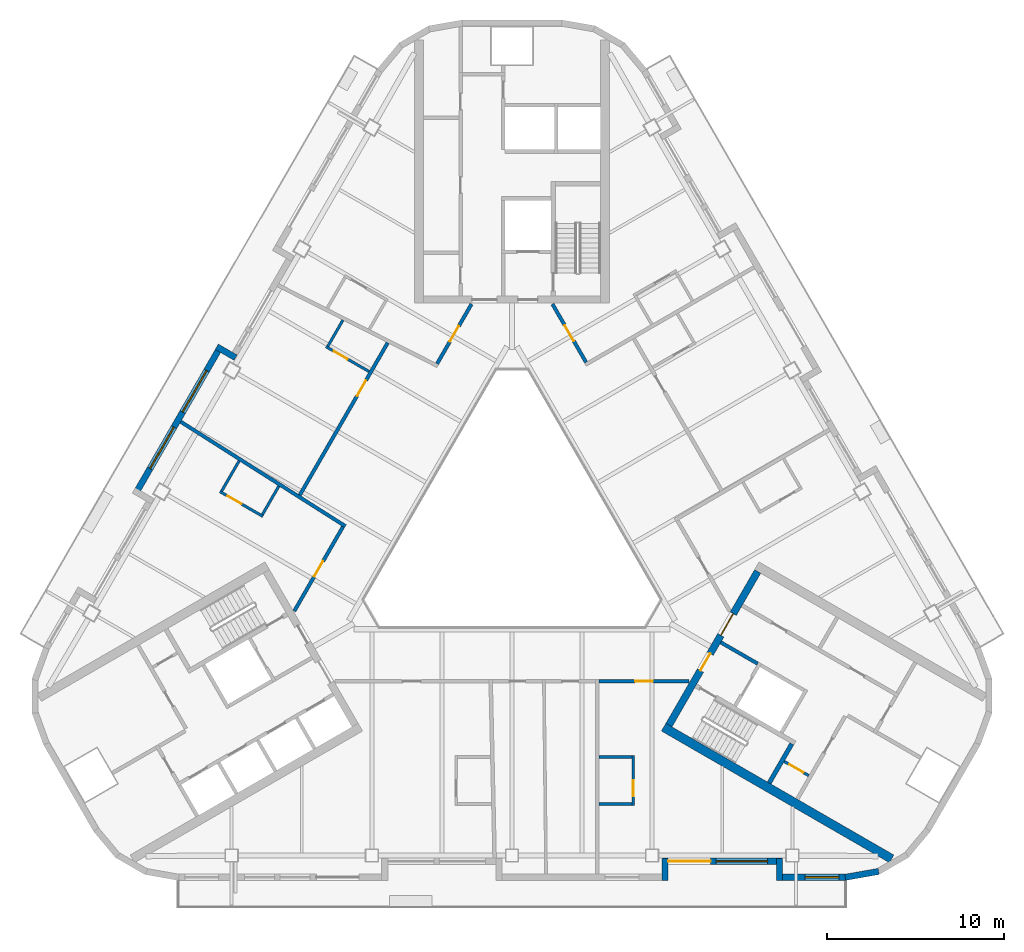
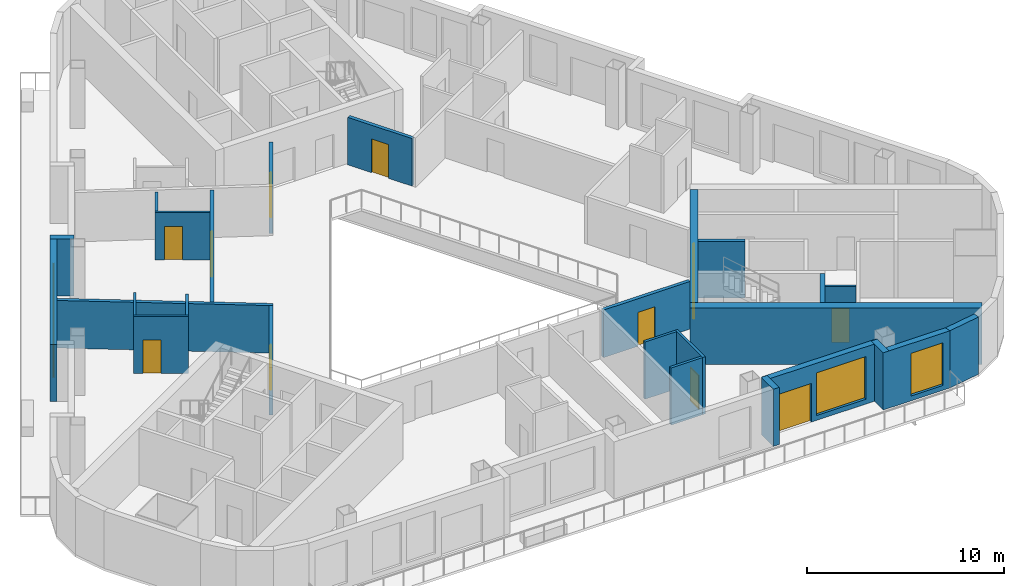
# One storey, part 4 of 13: 26 walls, 12 doors, 4 windows, 16 openings.
"""IFC4 building model written with IfcOpenShell, lengths in metres."""

from ifc_helpers import new_model, si_unit, direction, frame, frame_2d, origin, place, context, subcontext, project, spatial, rectangle, extrude, material, layer, layer_set, type_object, element, fill, save


model = new_model("IFC4")

# Units and contexts
model_context = context("Model", 3, precision=1e-05, world=origin(), true_north=direction((0.0, 1.0)))
body_context = subcontext(model_context, "Body", "Model", "MODEL_VIEW")
ifc_project = project(units=[si_unit("LENGTHUNIT", "METRE"), si_unit("AREAUNIT", "SQUARE_METRE"), si_unit("VOLUMEUNIT", "CUBIC_METRE"), si_unit("PLANEANGLEUNIT", "RADIAN"), si_unit("MASSUNIT", "GRAM", prefix="KILO")], contexts=[model_context])

# Site, building, storey
site_placement = place(None, origin())
site = spatial("IfcSite", under=ifc_project, at=site_placement, CompositionType="ELEMENT")
building_placement = place(site_placement, origin())
building = spatial("IfcBuilding", under=site, at=building_placement, Name="Apuvela Tower Hotel", CompositionType="ELEMENT")
storey_placement = place(building_placement, frame((0.0, 0.0, 194.699951171875)))
storey = spatial("IfcBuildingStorey", under=building, at=storey_placement, Name="L47", CompositionType="ELEMENT", Elevation=194.699951171875)

# Wall, openings, doors
ifc_material_1 = material(Name="Concrete C50/60", Category="concrete")
ifc_layer_1 = layer(ifc_material_1, 0.39990234375)
ifc_layer_set_1 = layer_set([ifc_layer_1], Name="COR-WALL-CORE-400")
wall_type_1 = type_object("IfcWallType", Name="COR-WALL-CORE-400", PredefinedType="SHEAR", material=ifc_layer_set_1)
wall_1_placement = place(storey_placement, frame((8.844970703125, -10.880126953125, 0.0), z_axis=(0.0, 0.0, 1.0), x_axis=(0.500004234368, 0.866022959057, 0.0)))
wall_1 = element("IfcWall", 1, at=wall_1_placement, inside=storey, type_object=wall_type_1, Name="Core wall SE", PredefinedType="SHEAR", context=body_context, shape_type="SweptSolid", body=[
    extrude(rectangle(XDim=10.0, YDim=0.39990234375, at=frame_2d((5.0, 0.0))), origin(), (0.0, 0.0, 1.0), 3.5),
])
opening_1_placement = place(wall_1_placement, frame((3.550048828125, 0.0, 0.0)))
opening_1 = element("IfcOpeningElement", 2, at=opening_1_placement, cuts=wall_1, Name="Opening E-FD", PredefinedType="OPENING", context=body_context, shape_type="SweptSolid", body=[
    extrude(rectangle(XDim=1.10009765625, YDim=2.10009765625, at=frame_2d((0.550048828125, 1.050048828125))), frame((0.0, 0.2099609375, 0.0), z_axis=(0.0, -1.0, 0.0), x_axis=(1.0, 0.0, 0.0)), (0.0, 0.0, 1.0), 0.419921875),
])
opening_2_placement = place(wall_1_placement, frame((5.85009765625, 0.0, 0.0)))
opening_2 = element("IfcOpeningElement", 3, at=opening_2_placement, cuts=wall_1, Name="Opening E-GD", PredefinedType="OPENING", context=body_context, shape_type="SweptSolid", body=[
    extrude(rectangle(XDim=1.39990234375, YDim=2.10009765625, at=frame_2d((0.699951171875, 1.050048828125))), frame((0.0, 0.2099609375, 0.0), z_axis=(0.0, -1.0, 0.0), x_axis=(1.0, 0.0, 0.0)), (0.0, 0.0, 1.0), 0.419921875),
])
ifc_material_2 = material(Name="Steel fire door, powder coated", Category="steel")
door_type_1 = type_object("IfcDoorType", Name="COR-FD-1100", OperationType="NOTDEFINED", PredefinedType="DOOR", material=ifc_material_2)
door_1_placement = place(opening_1_placement, frame((1.10009765625, 0.0, 0.0), z_axis=(0.0, 0.0, 1.0), x_axis=(-1.0, 0.0, 0.0)))
door_1 = element("IfcDoor", 4, at=door_1_placement, inside=storey, type_object=door_type_1, Name="Firefighting lobby door E-FD", OperationType="SINGLE_SWING_LEFT", OverallHeight=2.10009765625, OverallWidth=1.10009765625, PredefinedType="DOOR", context=body_context, shape_type="SweptSolid", body=[
    extrude(rectangle(XDim=1.10009765625, YDim=2.10009765625, at=frame_2d((0.550048828125, 1.050048828125))), frame((0.0, 0.02490234375, 0.0), z_axis=(0.0, -1.0, 0.0), x_axis=(1.0, 0.0, 0.0)), (0.0, 0.0, 1.0), 0.050048828125),
])
fill(opening_1, door_1)
ifc_material_3 = material(Name="Glazed steel fire door", Category="steel")
door_type_2 = type_object("IfcDoorType", Name="COR-GD-1400", OperationType="DOUBLE_DOOR_SINGLE_SWING", PredefinedType="DOOR", material=ifc_material_3)
door_2_placement = place(opening_2_placement, frame((1.39990234375, 0.0, 0.0), z_axis=(0.0, 0.0, 1.0), x_axis=(-1.0, 0.0, 0.0)))
door_2 = element("IfcDoor", 5, at=door_2_placement, inside=storey, type_object=door_type_2, Name="Lift lobby door E-GD", OperationType="DOUBLE_DOOR_SINGLE_SWING", OverallHeight=2.10009765625, OverallWidth=1.39990234375, PredefinedType="DOOR", context=body_context, shape_type="SweptSolid", body=[
    extrude(rectangle(XDim=1.39990234375, YDim=2.10009765625, at=frame_2d((0.699951171875, 1.050048828125))), frame((0.0, 0.02490234375, 0.0), z_axis=(0.0, -1.0, 0.0), x_axis=(1.0, 0.0, 0.0)), (0.0, 0.0, 1.0), 0.050048828125),
])
fill(opening_2, door_2)

# Wall
ifc_layer_2 = layer(ifc_material_1, 0.5)
ifc_layer_set_2 = layer_set([ifc_layer_2], Name="COR-WALL-CORE-500")
wall_type_2 = type_object("IfcWallType", Name="COR-WALL-CORE-500", PredefinedType="SHEAR", material=ifc_layer_set_2)
wall_2_placement = place(storey_placement, frame((8.546630859375, -10.99658203125, 0.0), z_axis=(0.0, 0.0, 1.0), x_axis=(0.866025009528, -0.500000682871, 0.0)))
element("IfcWall", 6, at=wall_2_placement, inside=storey, type_object=wall_type_2, Name="Core wall SE", PredefinedType="SHEAR", context=body_context, shape_type="SweptSolid", body=[
    extrude(rectangle(XDim=14.8369140625, YDim=0.5, at=frame_2d((7.41845703125, 0.0))), origin(), (0.0, 0.0, 1.0), 3.5),
])

# Wall, opening, door
ifc_material_4 = material(Name="Blockwork 150 mm plastered", Category="masonry")
ifc_layer_3 = layer(ifc_material_4, 0.14990234375)
ifc_layer_set_3 = layer_set([ifc_layer_3], Name="COR-WALL-PART-150")
wall_type_3 = type_object("IfcWallType", Name="COR-WALL-PART-150", PredefinedType="PARTITIONING", material=ifc_layer_set_3)
wall_3_placement = place(storey_placement, frame((15.341552734375, -12.927734375, 0.0), z_axis=(0.0, 0.0, 1.0), x_axis=(0.865989903783, -0.500061482766, 0.0)))
wall_3 = element("IfcWall", 7, at=wall_3_placement, inside=storey, type_object=wall_type_3, Name="Partition SE", PredefinedType="PARTITIONING", context=body_context, shape_type="SweptSolid", body=[
    extrude(rectangle(XDim=1.599853515625, YDim=0.14990234375, at=frame_2d((0.7998046875, 0.0))), origin(), (0.0, 0.0, 1.0), 3.5),
])
opening_3_placement = place(wall_3_placement, frame((0.35009765625, 0.0, 0.0)))
opening_3 = element("IfcOpeningElement", 8, at=opening_3_placement, cuts=wall_3, Name="Opening E-RD", PredefinedType="OPENING", context=body_context, shape_type="SweptSolid", body=[
    extrude(rectangle(XDim=0.89990234375, YDim=2.10009765625, at=frame_2d((0.449951171875, 1.050048828125))), frame((0.0, 0.0849609375, 0.0), z_axis=(0.0, -1.0, 0.0), x_axis=(1.0, 0.0, 0.0)), (0.0, 0.0, 1.0), 0.169921875),
])
ifc_material_5 = material(Name="Steel access door, powder coated", Category="steel")
door_type_3 = type_object("IfcDoorType", Name="COR-RD-900", OperationType="NOTDEFINED", PredefinedType="DOOR", material=ifc_material_5)
door_3_placement = place(opening_3_placement, frame((0.89990234375, 0.0, 0.0), z_axis=(0.0, 0.0, 1.0), x_axis=(-1.0, 0.0, 0.0)))
door_3 = element("IfcDoor", 9, at=door_3_placement, inside=storey, type_object=door_type_3, Name="Riser door E-RD", OperationType="SINGLE_SWING_LEFT", OverallHeight=2.10009765625, OverallWidth=0.89990234375, PredefinedType="DOOR", context=body_context, shape_type="SweptSolid", body=[
    extrude(rectangle(XDim=0.89990234375, YDim=2.10009765625, at=frame_2d((0.449951171875, 1.050048828125))), frame((0.0, 0.02490234375, 0.0), z_axis=(0.0, -1.0, 0.0), x_axis=(1.0, 0.0, 0.0)), (0.0, 0.0, 1.0), 0.050048828125),
])
fill(opening_3, door_3)

# Walls
ifc_layer_4 = layer(ifc_material_1, 0.199951171875)
ifc_layer_set_4 = layer_set([ifc_layer_4], Name="COR-WALL-SHAFT-200")
wall_type_4 = type_object("IfcWallType", Name="COR-WALL-SHAFT-200", PredefinedType="SHEAR", material=ifc_layer_set_4)
wall_4_placement = place(storey_placement, frame((11.76806640625, -6.217041015625, 0.0), z_axis=(0.0, 0.0, 1.0), x_axis=(0.866050077142, -0.499957262057, 0.0)))
element("IfcWall", 10, at=wall_4_placement, inside=storey, type_object=wall_type_4, Name="Shaft wall SE", PredefinedType="SHEAR", context=body_context, shape_type="SweptSolid", body=[
    extrude(rectangle(XDim=2.400146484375, YDim=0.199951171875, at=frame_2d((1.2001953125, 0.0))), origin(), (0.0, 0.0, 1.0), 3.5),
])
ifc_layer_5 = layer(ifc_material_1, 0.25)
ifc_layer_set_5 = layer_set([ifc_layer_5], Name="COR-WALL-STAIR-250")
wall_type_5 = type_object("IfcWallType", Name="COR-WALL-STAIR-250", PredefinedType="SHEAR", material=ifc_layer_set_5)
wall_5_placement = place(storey_placement, frame((14.49560546875, -14.142578125, 0.0), z_axis=(0.0, 0.0, 1.0), x_axis=(0.500062241894, 0.865989465428, 0.0)))
element("IfcWall", 11, at=wall_5_placement, inside=storey, type_object=wall_type_5, Name="Stair wall SE", PredefinedType="SHEAR", context=body_context, shape_type="SweptSolid", body=[
    extrude(rectangle(XDim=2.550048828125, YDim=0.25, at=frame_2d((1.27490234375, 0.0))), origin(), (0.0, 0.0, 1.0), 3.5),
])
ifc_material_6 = material(Name="Concrete C40/50, dark pigmented precast panel", Category="concrete")
ifc_layer_6 = layer(ifc_material_6, 0.35009765625)
ifc_layer_set_6 = layer_set([ifc_layer_6], Name="ENV-WALL-350")
wall_type_6 = type_object("IfcWallType", Name="ENV-WALL-350", PredefinedType="SOLIDWALL", material=ifc_layer_set_6)
wall_6_placement = place(storey_placement, frame((-15.580810546875, 9.8330078125, 0.0), z_axis=(0.0, 0.0, 1.0), x_axis=(-0.866055662726, 0.499947586314, 0.0)))
element("IfcWall", 12, at=wall_6_placement, inside=storey, type_object=wall_type_6, Name="External wall L47-04", PredefinedType="SOLIDWALL", context=body_context, shape_type="SweptSolid", body=[
    extrude(rectangle(XDim=1.220458984375, YDim=0.35009765625, at=frame_2d((0.6103515625, 0.0))), origin(), (0.0, 0.0, 1.0), 3.550048828125),
])

# Wall, openings, windows
wall_7_placement = place(storey_placement, frame((-16.3984375, 10.507080078125, 0.0), z_axis=(0.0, 0.0, 1.0), x_axis=(-0.499999142773, -0.866025898704, 0.0)))
wall_7 = element("IfcWall", 13, at=wall_7_placement, inside=storey, type_object=wall_type_6, Name="External wall L47-05", PredefinedType="SOLIDWALL", context=body_context, shape_type="SweptSolid", body=[
    extrude(rectangle(XDim=9.7001953125, YDim=0.35009765625, at=frame_2d((4.85009765625, 0.0))), origin(), (0.0, 0.0, 1.0), 3.550048828125),
])
opening_4_placement = place(wall_7_placement, frame((1.625, 0.0, 0.300048828125)))
opening_4 = element("IfcOpeningElement", 14, at=opening_4_placement, cuts=wall_7, Name="Opening WN27", PredefinedType="OPENING", context=body_context, shape_type="SweptSolid", body=[
    extrude(rectangle(XDim=2.699951171875, YDim=2.64990234375, at=frame_2d((1.35009765625, 1.324951171875))), frame((0.0, 0.18505859375, 0.0), z_axis=(0.0, -1.0, 0.0), x_axis=(1.0, 0.0, 0.0)), (0.0, 0.0, 1.0), 0.3701171875),
])
opening_5_placement = place(wall_7_placement, frame((5.2998046875, 0.0, 0.300048828125)))
opening_5 = element("IfcOpeningElement", 15, at=opening_5_placement, cuts=wall_7, Name="Opening WN27", PredefinedType="OPENING", context=body_context, shape_type="SweptSolid", body=[
    extrude(rectangle(XDim=2.699951171875, YDim=2.64990234375, at=frame_2d((1.35009765625, 1.324951171875))), frame((0.0, 0.18505859375, 0.0), z_axis=(0.0, -1.0, 0.0), x_axis=(1.0, 0.0, 0.0)), (0.0, 0.0, 1.0), 0.3701171875),
])
ifc_material_7 = material(Name="Glass, dark tinted laminated insulated glazing unit", Category="glass")
window_type_1 = type_object("IfcWindowType", Name="ENV-WIN-2700x2650", PartitioningType="SINGLE_PANEL", PredefinedType="WINDOW", material=ifc_material_7)
window_1_placement = place(opening_4_placement, origin())
window_1 = element("IfcWindow", 16, at=window_1_placement, inside=storey, type_object=window_type_1, Name="Window WN27", OverallHeight=2.64990234375, OverallWidth=2.699951171875, PartitioningType="SINGLE_PANEL", PredefinedType="WINDOW", context=body_context, shape_type="SweptSolid", body=[
    extrude(rectangle(XDim=2.699951171875, YDim=2.64990234375, at=frame_2d((1.35009765625, 1.324951171875))), frame((0.0, 0.030029296875, 0.0), z_axis=(0.0, -1.0, 0.0), x_axis=(1.0, 0.0, 0.0)), (0.0, 0.0, 1.0), 0.06005859375),
])
fill(opening_4, window_1)
window_2_placement = place(opening_5_placement, origin())
window_2 = element("IfcWindow", 17, at=window_2_placement, inside=storey, type_object=window_type_1, Name="Window WN27", OverallHeight=2.64990234375, OverallWidth=2.699951171875, PartitioningType="SINGLE_PANEL", PredefinedType="WINDOW", context=body_context, shape_type="SweptSolid", body=[
    extrude(rectangle(XDim=2.699951171875, YDim=2.64990234375, at=frame_2d((1.35009765625, 1.324951171875))), frame((0.0, 0.030029296875, 0.0), z_axis=(0.0, -1.0, 0.0), x_axis=(1.0, 0.0, 0.0)), (0.0, 0.0, 1.0), 0.06005859375),
])
fill(opening_5, window_2)

# Wall
wall_8_placement = place(storey_placement, frame((8.625, -19.6298828125, 0.0), z_axis=(0.0, 0.0, 1.0), x_axis=(0.0, 1.0, 0.0)))
element("IfcWall", 18, at=wall_8_placement, inside=storey, type_object=wall_type_6, Name="External wall L47-22", PredefinedType="SOLIDWALL", context=body_context, shape_type="SweptSolid", body=[
    extrude(rectangle(XDim=1.219970703125, YDim=0.35009765625, at=frame_2d((0.60986328125, 0.0))), origin(), (0.0, 0.0, 1.0), 3.550048828125),
])

# Wall, openings, door, window
wall_9_placement = place(storey_placement, frame((8.47998046875, -18.554931640625, 0.0), z_axis=(0.0, 0.0, 1.0), x_axis=(1.0, 0.0, 0.0)))
wall_9 = element("IfcWall", 19, at=wall_9_placement, inside=storey, type_object=wall_type_6, Name="External wall L47-23", PredefinedType="SOLIDWALL", context=body_context, shape_type="SweptSolid", body=[
    extrude(rectangle(XDim=6.739990234375, YDim=0.35009765625, at=frame_2d((3.3701171875, 0.0))), origin(), (0.0, 0.0, 1.0), 3.550048828125),
])
opening_6_placement = place(wall_9_placement, frame((0.3203125, 0.0, 0.0)))
opening_6 = element("IfcOpeningElement", 20, at=opening_6_placement, cuts=wall_9, Name="Opening BD24", PredefinedType="OPENING", context=body_context, shape_type="SweptSolid", body=[
    extrude(rectangle(XDim=2.39990234375, YDim=2.39990234375, at=frame_2d((1.199951171875, 1.199951171875))), frame((0.0, 0.18505859375, 0.0), z_axis=(0.0, -1.0, 0.0), x_axis=(1.0, 0.0, 0.0)), (0.0, 0.0, 1.0), 0.3701171875),
])
opening_7_placement = place(wall_9_placement, frame((3.020263671875, 0.0, 0.300048828125)))
opening_7 = element("IfcOpeningElement", 21, at=opening_7_placement, cuts=wall_9, Name="Opening WN29", PredefinedType="OPENING", context=body_context, shape_type="SweptSolid", body=[
    extrude(rectangle(XDim=2.89990234375, YDim=2.64990234375, at=frame_2d((1.449951171875, 1.324951171875))), frame((0.0, 0.18505859375, 0.0), z_axis=(0.0, -1.0, 0.0), x_axis=(1.0, 0.0, 0.0)), (0.0, 0.0, 1.0), 0.3701171875),
])
ifc_material_8 = material(Name="Aluminium 6063-T6, dark bronze anodised frame with dark tinted laminated glass", Category="aluminium")
door_type_4 = type_object("IfcDoorType", Name="ENV-DOOR-BALCONY-2400x2400", OperationType="SLIDING_TO_LEFT", PredefinedType="DOOR", material=ifc_material_8)
door_4_placement = place(opening_6_placement, frame((2.39990234375, 0.0, 0.0), z_axis=(0.0, 0.0, 1.0), x_axis=(-1.0, 0.0, 0.0)))
door_4 = element("IfcDoor", 22, at=door_4_placement, inside=storey, type_object=door_type_4, Name="Balcony door BD24", OperationType="SLIDING_TO_LEFT", OverallHeight=2.39990234375, OverallWidth=2.39990234375, PredefinedType="DOOR", context=body_context, shape_type="SweptSolid", body=[
    extrude(rectangle(XDim=2.39990234375, YDim=2.39990234375, at=frame_2d((1.199951171875, 1.199951171875))), frame((0.0, 0.02490234375, 0.0), z_axis=(0.0, -1.0, 0.0), x_axis=(1.0, 0.0, 0.0)), (0.0, 0.0, 1.0), 0.050048828125),
])
fill(opening_6, door_4)
window_type_2 = type_object("IfcWindowType", Name="ENV-WIN-2900x2650", PartitioningType="SINGLE_PANEL", PredefinedType="WINDOW", material=ifc_material_7)
window_3_placement = place(opening_7_placement, origin())
window_3 = element("IfcWindow", 23, at=window_3_placement, inside=storey, type_object=window_type_2, Name="Window WN29", OverallHeight=2.64990234375, OverallWidth=2.89990234375, PartitioningType="SINGLE_PANEL", PredefinedType="WINDOW", context=body_context, shape_type="SweptSolid", body=[
    extrude(rectangle(XDim=2.89990234375, YDim=2.64990234375, at=frame_2d((1.449951171875, 1.324951171875))), frame((0.0, 0.030029296875, 0.0), z_axis=(0.0, -1.0, 0.0), x_axis=(1.0, 0.0, 0.0)), (0.0, 0.0, 1.0), 0.06005859375),
])
fill(opening_7, window_3)

# Wall
wall_10_placement = place(storey_placement, frame((15.074951171875, -18.409912109375, 0.0), z_axis=(0.0, 0.0, 1.0), x_axis=(0.0, -1.0, 0.0)))
element("IfcWall", 24, at=wall_10_placement, inside=storey, type_object=wall_type_6, Name="External wall L47-24", PredefinedType="SOLIDWALL", context=body_context, shape_type="SweptSolid", body=[
    extrude(rectangle(XDim=1.219970703125, YDim=0.35009765625, at=frame_2d((0.60986328125, 0.0))), origin(), (0.0, 0.0, 1.0), 3.550048828125),
])

# Wall, opening, window
wall_11_placement = place(storey_placement, frame((14.89990234375, -19.455078125, 0.0), z_axis=(0.0, 0.0, 1.0), x_axis=(1.0, 0.0, 0.0)))
wall_11 = element("IfcWall", 25, at=wall_11_placement, inside=storey, type_object=wall_type_6, Name="External wall L47-25", PredefinedType="SOLIDWALL", context=body_context, shape_type="SweptSolid", body=[
    extrude(rectangle(XDim=3.916015625, YDim=0.35009765625, at=frame_2d((1.9580078125, 0.0))), origin(), (0.0, 0.0, 1.0), 3.550048828125),
])
opening_8_placement = place(wall_11_placement, frame((1.624755859375, 0.0, 0.300048828125)))
opening_8 = element("IfcOpeningElement", 26, at=opening_8_placement, cuts=wall_11, Name="Opening WN19", PredefinedType="OPENING", context=body_context, shape_type="SweptSolid", body=[
    extrude(rectangle(XDim=1.89990234375, YDim=2.64990234375, at=frame_2d((0.949951171875, 1.324951171875))), frame((0.0, 0.18505859375, 0.0), z_axis=(0.0, -1.0, 0.0), x_axis=(1.0, 0.0, 0.0)), (0.0, 0.0, 1.0), 0.3701171875),
])
window_type_3 = type_object("IfcWindowType", Name="ENV-WIN-1900x2650", PartitioningType="SINGLE_PANEL", PredefinedType="WINDOW", material=ifc_material_7)
window_4_placement = place(opening_8_placement, origin())
window_4 = element("IfcWindow", 27, at=window_4_placement, inside=storey, type_object=window_type_3, Name="Window WN19", OverallHeight=2.64990234375, OverallWidth=1.89990234375, PartitioningType="SINGLE_PANEL", PredefinedType="WINDOW", context=body_context, shape_type="SweptSolid", body=[
    extrude(rectangle(XDim=1.89990234375, YDim=2.64990234375, at=frame_2d((0.949951171875, 1.324951171875))), frame((0.0, 0.030029296875, 0.0), z_axis=(0.0, -1.0, 0.0), x_axis=(1.0, 0.0, 0.0)), (0.0, 0.0, 1.0), 0.06005859375),
])
fill(opening_8, window_4)

# Walls
wall_12_placement = place(storey_placement, frame((18.785400390625, -19.457763671875, 0.0), z_axis=(0.0, 0.0, 1.0), x_axis=(0.984798995425, 0.173697837091, 0.0)))
element("IfcWall", 28, at=wall_12_placement, inside=storey, type_object=wall_type_6, Name="External wall L47-26", PredefinedType="SOLIDWALL", context=body_context, shape_type="SweptSolid", body=[
    extrude(rectangle(XDim=1.91015625, YDim=0.35009765625, at=frame_2d((0.955078125, 0.0))), origin(), (0.0, 0.0, 1.0), 3.550048828125),
])
ifc_material_9 = material(Name="Gypsum board partition on twin steel stud", Category="steel")
ifc_layer_7 = layer(ifc_material_9, 0.199951171875)
ifc_layer_set_7 = layer_set([ifc_layer_7], Name="GST-PW1")
wall_type_7 = type_object("IfcWallType", Name="GST-PW1", PredefinedType="PARTITIONING", material=ifc_layer_set_7)
wall_13_placement = place(storey_placement, frame((-18.672119140625, 6.21923828125, 0.0), z_axis=(0.0, 0.0, 1.0), x_axis=(0.844423533478, -0.535676111198, 0.0)))
element("IfcWall", 29, at=wall_13_placement, inside=storey, type_object=wall_type_7, Name="L47 partition 06", PredefinedType="PARTITIONING", context=body_context, shape_type="SweptSolid", body=[
    extrude(rectangle(XDim=10.98974609375, YDim=0.199951171875, at=frame_2d((5.494873046875, 0.0))), origin(), (0.0, 0.0, 1.0), 2.949951171875),
])

# Wall, opening, door
ifc_material_10 = material(Name="Gypsum board corridor wall on twin steel stud, acoustic", Category="steel")
ifc_layer_8 = layer(ifc_material_10, 0.199951171875)
ifc_layer_set_8 = layer_set([ifc_layer_8], Name="GST-PW2")
wall_type_8 = type_object("IfcWallType", Name="GST-PW2", PredefinedType="PARTITIONING", material=ifc_layer_set_8)
wall_14_placement = place(storey_placement, frame((9.98828125, -8.39990234375, 0.0), z_axis=(0.0, 0.0, 1.0), x_axis=(-1.0, 0.0, 0.0)))
wall_14 = element("IfcWall", 30, at=wall_14_placement, inside=storey, type_object=wall_type_8, Name="L47 partition 14", PredefinedType="PARTITIONING", context=body_context, shape_type="SweptSolid", body=[
    extrude(rectangle(XDim=5.08837890625, YDim=0.199951171875, at=frame_2d((2.544189453125, 0.0))), origin(), (0.0, 0.0, 1.0), 2.949951171875),
])
opening_9_placement = place(wall_14_placement, frame((2.044189453125, 0.0, 0.0)))
opening_9 = element("IfcOpeningElement", 31, at=opening_9_placement, cuts=wall_14, Name="Opening GD18-06", PredefinedType="OPENING", context=body_context, shape_type="SweptSolid", body=[
    extrude(rectangle(XDim=1.0, YDim=2.10009765625, at=frame_2d((0.5, 1.050048828125))), frame((0.0, 0.10986328125, 0.0), z_axis=(0.0, -1.0, 0.0), x_axis=(1.0, 0.0, 0.0)), (0.0, 0.0, 1.0), 0.219970703125),
])
ifc_material_11 = material(Name="Timber door leaf in steel frame", Category="steel")
door_type_5 = type_object("IfcDoorType", Name="GST-D1", OperationType="NOTDEFINED", PredefinedType="DOOR", material=ifc_material_11)
door_5_placement = place(opening_9_placement, origin())
door_5 = element("IfcDoor", 32, at=door_5_placement, inside=storey, type_object=door_type_5, Name="Door L47-06", OperationType="SINGLE_SWING_RIGHT", OverallHeight=2.10009765625, OverallWidth=1.0, PredefinedType="DOOR", context=body_context, shape_type="SweptSolid", body=[
    extrude(rectangle(XDim=1.0, YDim=2.10009765625, at=frame_2d((0.5, 1.050048828125))), frame((0.0, 0.02490234375, 0.0), z_axis=(0.0, -1.0, 0.0), x_axis=(1.0, 0.0, 0.0)), (0.0, 0.0, 1.0), 0.050048828125),
])
fill(opening_9, door_5)

wall_15_placement = place(storey_placement, frame((2.280517578125, 12.85009765625, 0.0), z_axis=(0.0, 0.0, 1.0), x_axis=(0.499979074716, -0.866037484666, 0.0)))
wall_15 = element("IfcWall", 33, at=wall_15_placement, inside=storey, type_object=wall_type_8, Name="L47 partition 25", PredefinedType="PARTITIONING", context=body_context, shape_type="SweptSolid", body=[
    extrude(rectangle(XDim=3.788330078125, YDim=0.199951171875, at=frame_2d((1.89404296875, 0.0))), origin(), (0.0, 0.0, 1.0), 2.949951171875),
])
opening_10_placement = place(wall_15_placement, frame((1.39404296875, 0.0, 0.0)))
opening_10 = element("IfcOpeningElement", 34, at=opening_10_placement, cuts=wall_15, Name="Opening GD18-12", PredefinedType="OPENING", context=body_context, shape_type="SweptSolid", body=[
    extrude(rectangle(XDim=1.0, YDim=2.10009765625, at=frame_2d((0.5, 1.050048828125))), frame((0.0, 0.10986328125, 0.0), z_axis=(0.0, -1.0, 0.0), x_axis=(1.0, 0.0, 0.0)), (0.0, 0.0, 1.0), 0.219970703125),
])
door_6_placement = place(opening_10_placement, origin())
door_6 = element("IfcDoor", 35, at=door_6_placement, inside=storey, type_object=door_type_5, Name="Door L47-12", OperationType="SINGLE_SWING_RIGHT", OverallHeight=2.10009765625, OverallWidth=1.0, PredefinedType="DOOR", context=body_context, shape_type="SweptSolid", body=[
    extrude(rectangle(XDim=1.0, YDim=2.10009765625, at=frame_2d((0.5, 1.050048828125))), frame((0.0, 0.02490234375, 0.0), z_axis=(0.0, -1.0, 0.0), x_axis=(1.0, 0.0, 0.0)), (0.0, 0.0, 1.0), 0.050048828125),
])
fill(opening_10, door_6)

wall_16_placement = place(storey_placement, frame((-4.2216796875, 9.48779296875, 0.0), z_axis=(0.0, 0.0, 1.0), x_axis=(0.49998736472, 0.866032698644, 0.0)))
wall_16 = element("IfcWall", 36, at=wall_16_placement, inside=storey, type_object=wall_type_8, Name="L47 partition 29", PredefinedType="PARTITIONING", context=body_context, shape_type="SweptSolid", body=[
    extrude(rectangle(XDim=3.88232421875, YDim=0.199951171875, at=frame_2d((1.941162109375, 0.0))), origin(), (0.0, 0.0, 1.0), 2.949951171875),
])
opening_11_placement = place(wall_16_placement, frame((1.44140625, 0.0, 0.0)))
opening_11 = element("IfcOpeningElement", 37, at=opening_11_placement, cuts=wall_16, Name="Opening GD18-14", PredefinedType="OPENING", context=body_context, shape_type="SweptSolid", body=[
    extrude(rectangle(XDim=1.0, YDim=2.10009765625, at=frame_2d((0.5, 1.050048828125))), frame((0.0, 0.10986328125, 0.0), z_axis=(0.0, -1.0, 0.0), x_axis=(1.0, 0.0, 0.0)), (0.0, 0.0, 1.0), 0.219970703125),
])
door_7_placement = place(opening_11_placement, origin())
door_7 = element("IfcDoor", 38, at=door_7_placement, inside=storey, type_object=door_type_5, Name="Door L47-14", OperationType="SINGLE_SWING_LEFT", OverallHeight=2.10009765625, OverallWidth=1.0, PredefinedType="DOOR", context=body_context, shape_type="SweptSolid", body=[
    extrude(rectangle(XDim=1.0, YDim=2.10009765625, at=frame_2d((0.5, 1.050048828125))), frame((0.0, 0.02490234375, 0.0), z_axis=(0.0, -1.0, 0.0), x_axis=(1.0, 0.0, 0.0)), (0.0, 0.0, 1.0), 0.050048828125),
])
fill(opening_11, door_7)

wall_17_placement = place(storey_placement, frame((-11.962158203125, 2.0810546875, 0.0), z_axis=(0.0, 0.0, 1.0), x_axis=(0.500007290723, 0.866021194443, 0.0)))
wall_17 = element("IfcWall", 39, at=wall_17_placement, inside=storey, type_object=wall_type_8, Name="L47 partition 33", PredefinedType="PARTITIONING", context=body_context, shape_type="SweptSolid", body=[
    extrude(rectangle(XDim=9.917236328125, YDim=0.199951171875, at=frame_2d((4.95849609375, 0.0))), origin(), (0.0, 0.0, 1.0), 2.949951171875),
])
opening_12_placement = place(wall_17_placement, frame((6.461669921875, 0.0, 0.0)))
opening_12 = element("IfcOpeningElement", 40, at=opening_12_placement, cuts=wall_17, Name="Opening GD18-16", PredefinedType="OPENING", context=body_context, shape_type="SweptSolid", body=[
    extrude(rectangle(XDim=1.0, YDim=2.10009765625, at=frame_2d((0.5, 1.050048828125))), frame((0.0, 0.10986328125, 0.0), z_axis=(0.0, -1.0, 0.0), x_axis=(1.0, 0.0, 0.0)), (0.0, 0.0, 1.0), 0.219970703125),
])
door_8_placement = place(opening_12_placement, origin())
door_8 = element("IfcDoor", 41, at=door_8_placement, inside=storey, type_object=door_type_5, Name="Door L47-16", OperationType="SINGLE_SWING_LEFT", OverallHeight=2.10009765625, OverallWidth=1.0, PredefinedType="DOOR", context=body_context, shape_type="SweptSolid", body=[
    extrude(rectangle(XDim=1.0, YDim=2.10009765625, at=frame_2d((0.5, 1.050048828125))), frame((0.0, 0.02490234375, 0.0), z_axis=(0.0, -1.0, 0.0), x_axis=(1.0, 0.0, 0.0)), (0.0, 0.0, 1.0), 0.050048828125),
])
fill(opening_12, door_8)

wall_18_placement = place(storey_placement, frame((-12.268798828125, -4.449951171875, 0.0), z_axis=(0.0, 0.0, 1.0), x_axis=(0.500026884667, 0.866009881359, 0.0)))
wall_18 = element("IfcWall", 42, at=wall_18_placement, inside=storey, type_object=wall_type_8, Name="L47 partition 36", PredefinedType="PARTITIONING", context=body_context, shape_type="SweptSolid", body=[
    extrude(rectangle(XDim=5.484130859375, YDim=0.199951171875, at=frame_2d((2.7421875, 0.0))), origin(), (0.0, 0.0, 1.0), 2.949951171875),
])
opening_13_placement = place(wall_18_placement, frame((2.241943359375, 0.0, 0.0)))
opening_13 = element("IfcOpeningElement", 43, at=opening_13_placement, cuts=wall_18, Name="Opening GD18-18", PredefinedType="OPENING", context=body_context, shape_type="SweptSolid", body=[
    extrude(rectangle(XDim=1.0, YDim=2.10009765625, at=frame_2d((0.5, 1.050048828125))), frame((0.0, 0.10986328125, 0.0), z_axis=(0.0, -1.0, 0.0), x_axis=(1.0, 0.0, 0.0)), (0.0, 0.0, 1.0), 0.219970703125),
])
door_9_placement = place(opening_13_placement, origin())
door_9 = element("IfcDoor", 44, at=door_9_placement, inside=storey, type_object=door_type_5, Name="Door L47-18", OperationType="SINGLE_SWING_RIGHT", OverallHeight=2.10009765625, OverallWidth=1.0, PredefinedType="DOOR", context=body_context, shape_type="SweptSolid", body=[
    extrude(rectangle(XDim=1.0, YDim=2.10009765625, at=frame_2d((0.5, 1.050048828125))), frame((0.0, 0.02490234375, 0.0), z_axis=(0.0, -1.0, 0.0), x_axis=(1.0, 0.0, 0.0)), (0.0, 0.0, 1.0), 0.050048828125),
])
fill(opening_13, door_9)

ifc_material_12 = material(Name="Moisture-resistant gypsum board wet wall on steel stud", Category="steel")
ifc_layer_9 = layer(ifc_material_12, 0.14990234375)
ifc_layer_set_9 = layer_set([ifc_layer_9], Name="GST-PW3")
wall_type_9 = type_object("IfcWallType", Name="GST-PW3", PredefinedType="PARTITIONING", material=ifc_layer_set_9)
wall_19_placement = place(storey_placement, frame((6.824951171875, -15.39990234375, 0.0), z_axis=(0.0, 0.0, 1.0), x_axis=(0.0, 1.0, 0.0)))
wall_19 = element("IfcWall", 45, at=wall_19_placement, inside=storey, type_object=wall_type_9, Name="L47 partition 15", PredefinedType="PARTITIONING", context=body_context, shape_type="SweptSolid", body=[
    extrude(rectangle(XDim=2.7998046875, YDim=0.14990234375, at=frame_2d((1.39990234375, 0.0))), origin(), (0.0, 0.0, 1.0), 3.550048828125),
])
opening_14_placement = place(wall_19_placement, frame((0.5, 0.0, 0.0)))
opening_14 = element("IfcOpeningElement", 46, at=opening_14_placement, cuts=wall_19, Name="Opening GD18-05", PredefinedType="OPENING", context=body_context, shape_type="SweptSolid", body=[
    extrude(rectangle(XDim=0.89990234375, YDim=2.10009765625, at=frame_2d((0.449951171875, 1.050048828125))), frame((0.0, 0.0849609375, 0.0), z_axis=(0.0, -1.0, 0.0), x_axis=(1.0, 0.0, 0.0)), (0.0, 0.0, 1.0), 0.169921875),
])
door_type_6 = type_object("IfcDoorType", Name="GST-D2", OperationType="NOTDEFINED", PredefinedType="DOOR", material=ifc_material_11)
door_10_placement = place(opening_14_placement, origin())
door_10 = element("IfcDoor", 47, at=door_10_placement, inside=storey, type_object=door_type_6, Name="Door L47-05", OperationType="SINGLE_SWING_LEFT", OverallHeight=2.10009765625, OverallWidth=0.89990234375, PredefinedType="DOOR", context=body_context, shape_type="SweptSolid", body=[
    extrude(rectangle(XDim=0.89990234375, YDim=2.10009765625, at=frame_2d((0.449951171875, 1.050048828125))), frame((0.0, 0.02490234375, 0.0), z_axis=(0.0, -1.0, 0.0), x_axis=(1.0, 0.0, 0.0)), (0.0, 0.0, 1.0), 0.050048828125),
])
fill(opening_14, door_10)

# Walls
for number, where, z_axis, x_axis, name in (
    (48, (4.89990234375, -15.324951171875, 0.0), (0.0, 0.0, 1.0), (1.0, 0.0, 0.0), "L47 partition 16"),
    (49, (4.89990234375, -12.675048828125, 0.0), (0.0, 0.0, 1.0), (1.0, 0.0, 0.0), "L47 partition 17"),
):
    element("IfcWall", number, at=place(storey_placement, frame(where, z_axis=z_axis, x_axis=x_axis)), inside=storey, type_object=wall_type_9, Name=name, PredefinedType="PARTITIONING", context=body_context, shape_type="SweptSolid", body=[
        extrude(rectangle(XDim=1.85009765625, YDim=0.14990234375, at=frame_2d((0.925048828125, 0.0))), origin(), (0.0, 0.0, 1.0), 3.550048828125),
    ])

# Wall, opening, door
wall_20_placement = place(storey_placement, frame((-10.480224609375, 10.44775390625, 0.0), z_axis=(0.0, 0.0, 1.0), x_axis=(0.865996816683, -0.500049511043, 0.0)))
wall_20 = element("IfcWall", 50, at=wall_20_placement, inside=storey, type_object=wall_type_9, Name="L47 partition 34", PredefinedType="PARTITIONING", context=body_context, shape_type="SweptSolid", body=[
    extrude(rectangle(XDim=2.800048828125, YDim=0.14990234375, at=frame_2d((1.39990234375, 0.0))), origin(), (0.0, 0.0, 1.0), 2.949951171875),
])
opening_15_placement = place(wall_20_placement, frame((0.5, 0.0, 0.0)))
opening_15 = element("IfcOpeningElement", 51, at=opening_15_placement, cuts=wall_20, Name="Opening GD18-15", PredefinedType="OPENING", context=body_context, shape_type="SweptSolid", body=[
    extrude(rectangle(XDim=0.89990234375, YDim=2.10009765625, at=frame_2d((0.449951171875, 1.050048828125))), frame((0.0, 0.0849609375, 0.0), z_axis=(0.0, -1.0, 0.0), x_axis=(1.0, 0.0, 0.0)), (0.0, 0.0, 1.0), 0.169921875),
])
door_11_placement = place(opening_15_placement, origin())
door_11 = element("IfcDoor", 52, at=door_11_placement, inside=storey, type_object=door_type_6, Name="Door L47-15", OperationType="SINGLE_SWING_LEFT", OverallHeight=2.10009765625, OverallWidth=0.89990234375, PredefinedType="DOOR", context=body_context, shape_type="SweptSolid", body=[
    extrude(rectangle(XDim=0.89990234375, YDim=2.10009765625, at=frame_2d((0.449951171875, 1.050048828125))), frame((0.0, 0.02490234375, 0.0), z_axis=(0.0, -1.0, 0.0), x_axis=(1.0, 0.0, 0.0)), (0.0, 0.0, 1.0), 0.050048828125),
])
fill(opening_15, door_11)

# Wall
wall_21_placement = place(storey_placement, frame((-9.528564453125, 11.946044921875, 0.0), z_axis=(0.0, 0.0, 1.0), x_axis=(-0.499942281444, -0.866058725044, 0.0)))
element("IfcWall", 53, at=wall_21_placement, inside=storey, type_object=wall_type_9, Name="L47 partition 35", PredefinedType="PARTITIONING", context=body_context, shape_type="SweptSolid", body=[
    extrude(rectangle(XDim=1.698486328125, YDim=0.14990234375, at=frame_2d((0.84912109375, 0.0))), origin(), (0.0, 0.0, 1.0), 2.949951171875),
])

# Wall, opening, door
wall_22_placement = place(storey_placement, frame((-16.4638671875, 2.283935546875, 0.0), z_axis=(0.0, 0.0, 1.0), x_axis=(0.866018616679, -0.500011755427, 0.0)))
wall_22 = element("IfcWall", 54, at=wall_22_placement, inside=storey, type_object=wall_type_9, Name="L47 partition 37", PredefinedType="PARTITIONING", context=body_context, shape_type="SweptSolid", body=[
    extrude(rectangle(XDim=2.80029296875, YDim=0.14990234375, at=frame_2d((1.400146484375, 0.0))), origin(), (0.0, 0.0, 1.0), 3.550048828125),
])
opening_16_placement = place(wall_22_placement, frame((0.5, 0.0, 0.0)))
opening_16 = element("IfcOpeningElement", 55, at=opening_16_placement, cuts=wall_22, Name="Opening GD18-17", PredefinedType="OPENING", context=body_context, shape_type="SweptSolid", body=[
    extrude(rectangle(XDim=0.89990234375, YDim=2.10009765625, at=frame_2d((0.449951171875, 1.050048828125))), frame((0.0, 0.0849609375, 0.0), z_axis=(0.0, -1.0, 0.0), x_axis=(1.0, 0.0, 0.0)), (0.0, 0.0, 1.0), 0.169921875),
])
door_12_placement = place(opening_16_placement, origin())
door_12 = element("IfcDoor", 56, at=door_12_placement, inside=storey, type_object=door_type_6, Name="Door L47-17", OperationType="SINGLE_SWING_LEFT", OverallHeight=2.10009765625, OverallWidth=0.89990234375, PredefinedType="DOOR", context=body_context, shape_type="SweptSolid", body=[
    extrude(rectangle(XDim=0.89990234375, YDim=2.10009765625, at=frame_2d((0.449951171875, 1.050048828125))), frame((0.0, 0.02490234375, 0.0), z_axis=(0.0, -1.0, 0.0), x_axis=(1.0, 0.0, 0.0)), (0.0, 0.0, 1.0), 0.050048828125),
])
fill(opening_16, door_12)

# Walls
wall_23_placement = place(storey_placement, frame((-15.37939453125, 4.011962890625, 0.0), z_axis=(0.0, 0.0, 1.0), x_axis=(-0.500016598995, -0.866015820138, 0.0)))
element("IfcWall", 57, at=wall_23_placement, inside=storey, type_object=wall_type_9, Name="L47 partition 38", PredefinedType="PARTITIONING", context=body_context, shape_type="SweptSolid", body=[
    extrude(rectangle(XDim=1.9638671875, YDim=0.14990234375, at=frame_2d((0.98193359375, 0.0))), origin(), (0.0, 0.0, 1.0), 3.550048828125),
])
wall_24_placement = place(storey_placement, frame((-13.139892578125, 2.59130859375, 0.0), z_axis=(0.0, 0.0, 1.0), x_axis=(-0.499950530793, -0.86605396296, 0.0)))
element("IfcWall", 58, at=wall_24_placement, inside=storey, type_object=wall_type_9, Name="L47 partition 39", PredefinedType="PARTITIONING", context=body_context, shape_type="SweptSolid", body=[
    extrude(rectangle(XDim=1.853271484375, YDim=0.14990234375, at=frame_2d((0.9267578125, 0.0))), origin(), (0.0, 0.0, 1.0), 3.550048828125),
])

save(model, "model.ifc")
